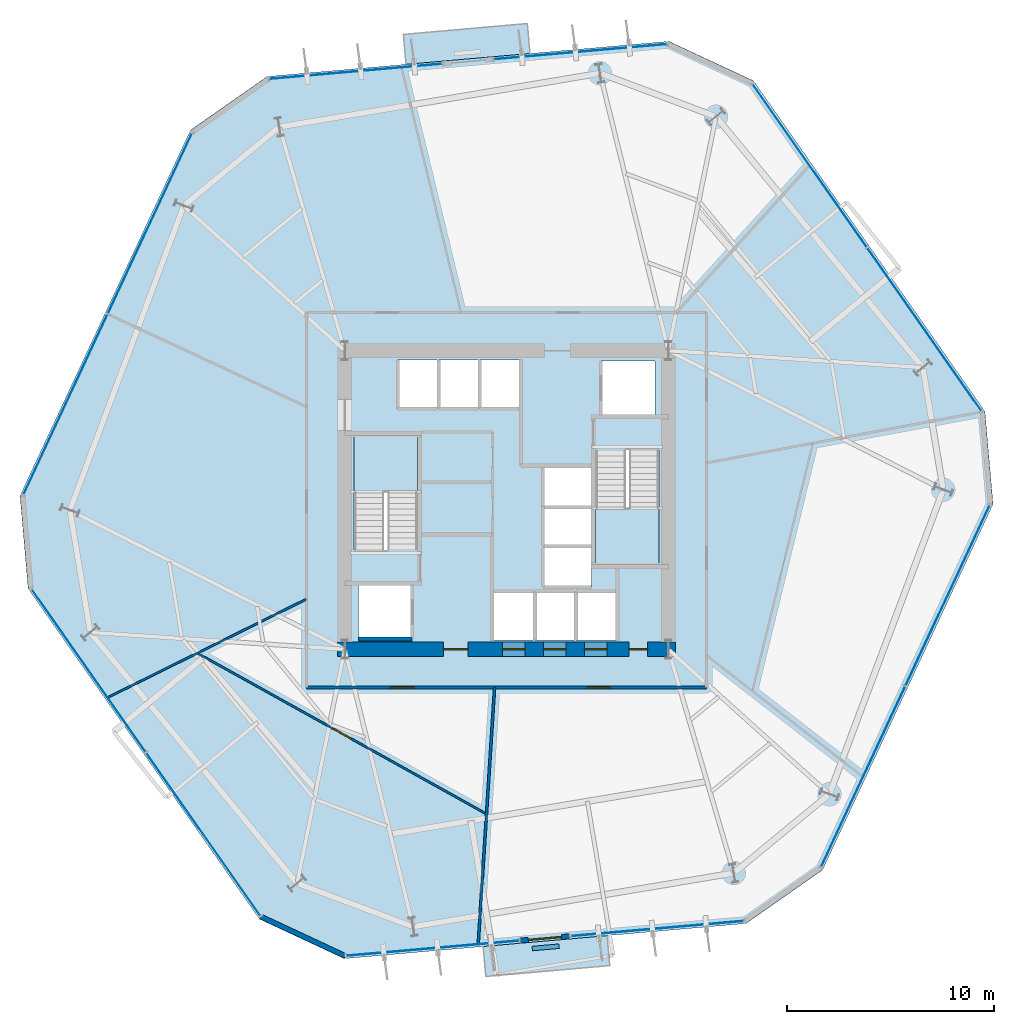
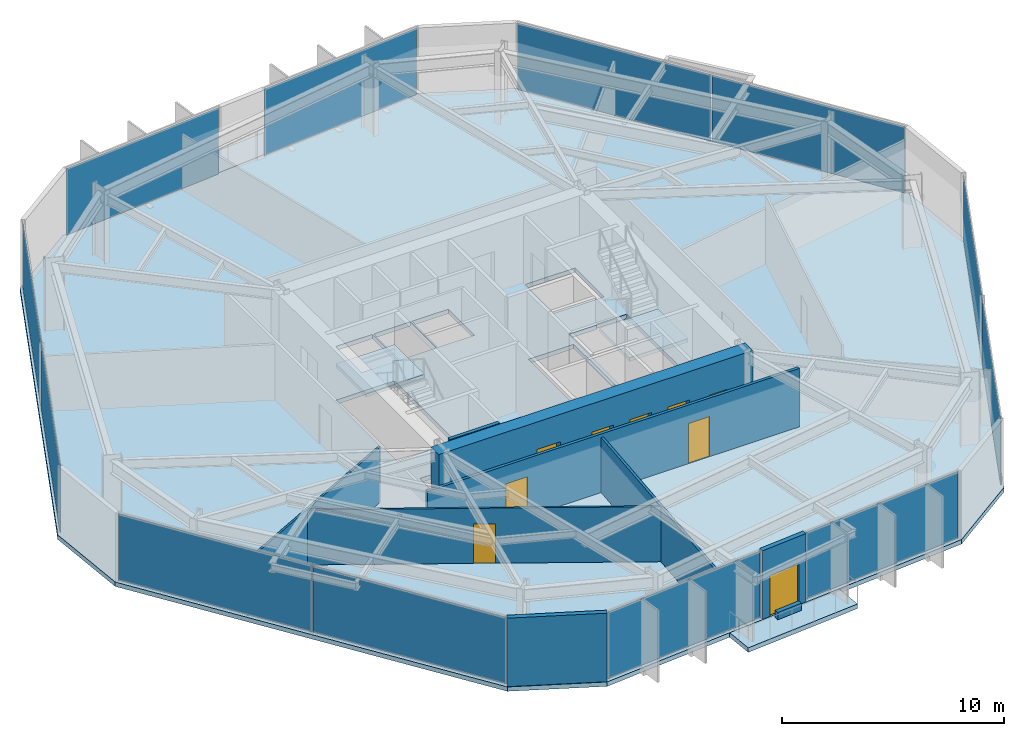
# One storey, part 6 of 11: 12 plates, 9 doors, 9 walls, 5 slabs, 9 openings, 10 elements without a shape of their own.
"""IFC4 building model written with IfcOpenShell, lengths in metres."""

from ifc_helpers import new_model, si_unit, direction, frame, frame_2d, origin, origin_2d, place, context, subcontext, project, spatial, polyline, rectangle, outline, extrude, material, layer, layer_set, type_object, element, fill, aggregate, save


model = new_model("IFC4")

# Units and contexts
model_context = context("Model", 3, precision=1e-05, world=origin(), true_north=direction((0.0, 1.0)))
body_context = subcontext(model_context, "Body", "Model", "MODEL_VIEW")
ifc_project = project(units=[si_unit("LENGTHUNIT", "METRE"), si_unit("AREAUNIT", "SQUARE_METRE"), si_unit("VOLUMEUNIT", "CUBIC_METRE"), si_unit("PLANEANGLEUNIT", "RADIAN"), si_unit("MASSUNIT", "GRAM", prefix="KILO")], contexts=[model_context])

# Site, building, storey
site_placement = place(None, origin())
site = spatial("IfcSite", under=ifc_project, at=site_placement, CompositionType="ELEMENT")
building_placement = place(site_placement, origin())
building = spatial("IfcBuilding", under=site, at=building_placement, Name="Kranzbogen Civic Tower", CompositionType="ELEMENT")
storey_placement = place(building_placement, frame((0.0, 0.0, 40.0)))
storey = spatial("IfcBuildingStorey", under=building, at=storey_placement, Name="L09", CompositionType="ELEMENT", Elevation=40.0)

# Slab
ifc_material_1 = material(Name="Concrete C40/50", Category="concrete")
ifc_layer_1 = layer(ifc_material_1, 0.239990234375, Name="Concrete C40/50")
ifc_layer_set_1 = layer_set([ifc_layer_1], Name="Concrete C40/50")
slab_type_1 = type_object("IfcSlabType", Name="Composite Lower Tower Floor Slab 240 mm", PredefinedType="FLOOR", material=ifc_layer_set_1)
slab_1_placement = place(storey_placement, frame((0.0, 0.0, -0.239990234375)))
element("IfcSlab", 1, at=slab_1_placement, inside=storey, type_object=slab_type_1, Name="L09 tower floor slab", PredefinedType="FLOOR", context=body_context, shape_type="SweptSolid", body=[
    extrude(outline(polyline([(48.069091796875, 29.277099609375), (36.908935546875, 45.215087890625), (32.8310546875, 47.116943359375), (13.447998046875, 45.4208984375), (9.761962890625, 42.840087890625), (1.5390625, 25.2060546875), (1.930908203125, 20.722900390625), (13.091064453125, 4.784912109375), (17.1689453125, 2.883056640625), (36.552001953125, 4.5791015625), (40.238037109375, 7.159912109375), (48.4609375, 24.7939453125), (48.069091796875, 29.277099609375)]), holes=[polyline([(26.300048828125, 20.60009765625), (26.300048828125, 18.25), (24.39990234375, 18.25), (24.39990234375, 20.60009765625), (26.300048828125, 20.60009765625)]), polyline([(28.27490234375, 18.25), (26.375, 18.25), (26.375, 20.60009765625), (28.27490234375, 20.60009765625), (28.27490234375, 18.25)]), polyline([(20.449951171875, 18.300048828125), (17.85009765625, 18.300048828125), (17.85009765625, 20.89990234375), (20.449951171875, 20.89990234375), (20.449951171875, 18.300048828125)]), polyline([(20.699951171875, 22.659912109375), (19.25, 22.659912109375), (19.25, 22.60009765625), (17.64990234375, 22.60009765625), (17.64990234375, 28.10009765625), (20.699951171875, 28.10009765625), (20.699951171875, 22.659912109375)]), polyline([(21.64990234375, 29.39990234375), (19.75, 29.39990234375), (19.75, 31.75), (21.64990234375, 31.75), (21.64990234375, 29.39990234375)]), polyline([(23.625, 29.39990234375), (21.72509765625, 29.39990234375), (21.72509765625, 31.75), (23.625, 31.75), (23.625, 29.39990234375)]), polyline([(25.60009765625, 31.75), (25.60009765625, 29.39990234375), (23.699951171875, 29.39990234375), (23.699951171875, 31.75), (25.60009765625, 31.75)]), polyline([(30.25, 18.25), (28.35009765625, 18.25), (28.35009765625, 20.60009765625), (30.25, 20.60009765625), (30.25, 18.25)]), polyline([(29.10009765625, 20.800048828125), (26.75, 20.800048828125), (26.75, 22.699951171875), (29.10009765625, 22.699951171875), (29.10009765625, 20.800048828125)]), polyline([(26.75, 26.550048828125), (29.10009765625, 26.550048828125), (29.10009765625, 24.675048828125), (29.10009765625, 24.64990234375), (29.10009765625, 22.77490234375), (26.75, 22.77490234375), (26.75, 24.64990234375), (26.75, 24.675048828125), (26.75, 26.550048828125)]), polyline([(30.75, 27.340087890625), (30.75, 27.39990234375), (32.35009765625, 27.39990234375), (32.35009765625, 21.89990234375), (29.300048828125, 21.89990234375), (29.300048828125, 27.340087890625), (30.75, 27.340087890625)]), polyline([(32.14990234375, 29.10009765625), (29.550048828125, 29.10009765625), (29.550048828125, 31.699951171875), (32.14990234375, 31.699951171875), (32.14990234375, 29.10009765625)])]), origin(), (0.0, 0.0, 1.0), 0.239990234375),
])

# Curtain wall, plates
ifc_material_2 = material(Name="Pale Anodised Aluminium", Category="aluminium")
ifc_layer_2 = layer(ifc_material_2, 0.219970703125, Name="Pale Anodised Aluminium")
ifc_layer_set_2 = layer_set([ifc_layer_2], Name="Pale Anodised Aluminium")
curtain_wall_type = type_object("IfcCurtainWallType", Name="Zone 1 Stick Curtain Wall System CW-02", PredefinedType="USERDEFINED", material=ifc_layer_set_2)
curtain_wall_1_placement = place(storey_placement, origin())
curtain_wall_1 = element("IfcCurtainWall", 2, at=curtain_wall_1_placement, inside=storey, type_object=curtain_wall_type, Name="L09 curtain wall CW-L09-F1", ObjectType="STICK CURTAIN WALL", PredefinedType="USERDEFINED")
ifc_material_3 = material(Name="Low-E Triple Glazing Glass", Category="glass")
ifc_layer_3 = layer(ifc_material_3, 0.033935546875, Name="Low-E Triple Glazing Glass")
ifc_layer_set_3 = layer_set([ifc_layer_3], Name="Low-E Triple Glazing Glass")
plate_type = type_object("IfcPlateType", Name="Insulated Low-E Glazing Panel 34 mm", PredefinedType="CURTAIN_PANEL", material=ifc_layer_set_3)
plate_1_placement = place(storey_placement, frame((45.149169921875, 33.22412109375, 0.06005859375), z_axis=(0.0, 0.0, 1.0), x_axis=(-0.573562973826, 0.819161470685, 0.0)))
plate_1 = element("IfcPlate", 3, at=plate_1_placement, type_object=plate_type, Name="CW-02 panel 1.1", PredefinedType="CURTAIN_PANEL", context=body_context, shape_type="SweptSolid", body=[
    extrude(rectangle(XDim=9.580322265625, YDim=0.028076171875, at=origin_2d()), origin(), (0.0, 0.0, 1.0), 3.639892578125),
])
plate_2_placement = place(storey_placement, frame((39.619873046875, 41.120849609375, 0.06005859375), z_axis=(0.0, 0.0, 1.0), x_axis=(-0.573562973826, 0.819161470685, 0.0)))
plate_2 = element("IfcPlate", 4, at=plate_2_placement, type_object=plate_type, Name="CW-02 panel 2.1", PredefinedType="CURTAIN_PANEL", context=body_context, shape_type="SweptSolid", body=[
    extrude(rectangle(XDim=9.580322265625, YDim=0.028076171875, at=origin_2d()), origin(), (0.0, 0.0, 1.0), 3.639892578125),
])
aggregate(curtain_wall_1, [plate_1, plate_2])

# Curtain wall, plate
curtain_wall_2_placement = place(storey_placement, origin())
curtain_wall_2 = element("IfcCurtainWall", 5, at=curtain_wall_2_placement, inside=storey, type_object=curtain_wall_type, Name="L09 curtain wall CW-L09-F2-S1", ObjectType="STICK CURTAIN WALL", PredefinedType="USERDEFINED")
plate_3_placement = place(storey_placement, frame((28.56494140625, 46.615966796875, 0.06005859375), z_axis=(0.0, 0.0, 1.0), x_axis=(-0.996197048613, -0.087128871992, 0.0)))
plate_3 = element("IfcPlate", 6, at=plate_3_placement, type_object=plate_type, Name="CW-02 panel 1.1", PredefinedType="CURTAIN_PANEL", context=body_context, shape_type="SweptSolid", body=[
    extrude(rectangle(XDim=8.35009765625, YDim=0.028076171875, at=origin_2d()), origin(), (0.0, 0.0, 1.0), 3.639892578125),
])
aggregate(curtain_wall_2, [plate_3])

curtain_wall_3_placement = place(storey_placement, origin())
curtain_wall_3 = element("IfcCurtainWall", 7, at=curtain_wall_3_placement, inside=storey, type_object=curtain_wall_type, Name="L09 curtain wall CW-L09-F2-S2", ObjectType="STICK CURTAIN WALL", PredefinedType="USERDEFINED")
plate_4_placement = place(storey_placement, frame((17.736083984375, 45.66796875, 0.06005859375), z_axis=(0.0, 0.0, 1.0), x_axis=(-0.996197048613, -0.087128871992, 0.0)))
plate_4 = element("IfcPlate", 8, at=plate_4_placement, type_object=plate_type, Name="CW-02 panel 1.1", PredefinedType="CURTAIN_PANEL", context=body_context, shape_type="SweptSolid", body=[
    extrude(rectangle(XDim=8.35009765625, YDim=0.028076171875, at=origin_2d()), origin(), (0.0, 0.0, 1.0), 3.639892578125),
])
aggregate(curtain_wall_3, [plate_4])

# Curtain wall, plates
curtain_wall_4_placement = place(storey_placement, origin())
curtain_wall_4 = element("IfcCurtainWall", 9, at=curtain_wall_4_placement, inside=storey, type_object=curtain_wall_type, Name="L09 curtain wall CW-L09-F3", ObjectType="STICK CURTAIN WALL", PredefinedType="USERDEFINED")
plate_5_placement = place(storey_placement, frame((7.80322265625, 38.338134765625, 0.06005859375), z_axis=(0.0, 0.0, 1.0), x_axis=(-0.422622213878, -0.906305944114, 0.0)))
plate_5 = element("IfcPlate", 10, at=plate_5_placement, type_object=plate_type, Name="CW-02 panel 1.1", PredefinedType="CURTAIN_PANEL", context=body_context, shape_type="SweptSolid", body=[
    extrude(rectangle(XDim=9.58056640625, YDim=0.028076171875, at=origin_2d()), origin(), (0.0, 0.0, 1.0), 3.639892578125),
])
plate_6_placement = place(storey_placement, frame((3.728759765625, 29.600830078125, 0.06005859375), z_axis=(0.0, 0.0, 1.0), x_axis=(-0.422622213878, -0.906305944114, 0.0)))
plate_6 = element("IfcPlate", 11, at=plate_6_placement, type_object=plate_type, Name="CW-02 panel 2.1", PredefinedType="CURTAIN_PANEL", context=body_context, shape_type="SweptSolid", body=[
    extrude(rectangle(XDim=9.58056640625, YDim=0.028076171875, at=origin_2d()), origin(), (0.0, 0.0, 1.0), 3.639892578125),
])
aggregate(curtain_wall_4, [plate_5, plate_6])

curtain_wall_5_placement = place(storey_placement, origin())
curtain_wall_5 = element("IfcCurtainWall", 12, at=curtain_wall_5_placement, inside=storey, type_object=curtain_wall_type, Name="L09 curtain wall CW-L09-F4", ObjectType="STICK CURTAIN WALL", PredefinedType="USERDEFINED")
plate_7_placement = place(storey_placement, frame((4.850830078125, 16.77587890625, 0.06005859375), z_axis=(0.0, 0.0, 1.0), x_axis=(0.573562973826, -0.819161470685, 0.0)))
plate_7 = element("IfcPlate", 13, at=plate_7_placement, type_object=plate_type, Name="CW-02 panel 1.1", PredefinedType="CURTAIN_PANEL", context=body_context, shape_type="SweptSolid", body=[
    extrude(rectangle(XDim=9.580322265625, YDim=0.028076171875, at=origin_2d()), origin(), (0.0, 0.0, 1.0), 3.639892578125),
])
plate_8_placement = place(storey_placement, frame((10.380126953125, 8.879150390625, 0.06005859375), z_axis=(0.0, 0.0, 1.0), x_axis=(0.573562973826, -0.819161470685, 0.0)))
plate_8 = element("IfcPlate", 14, at=plate_8_placement, type_object=plate_type, Name="CW-02 panel 2.1", PredefinedType="CURTAIN_PANEL", context=body_context, shape_type="SweptSolid", body=[
    extrude(rectangle(XDim=9.580322265625, YDim=0.028076171875, at=origin_2d()), origin(), (0.0, 0.0, 1.0), 3.639892578125),
])
aggregate(curtain_wall_5, [plate_7, plate_8])

# Curtain wall, plate
curtain_wall_6_placement = place(storey_placement, origin())
curtain_wall_6 = element("IfcCurtainWall", 15, at=curtain_wall_6_placement, inside=storey, type_object=curtain_wall_type, Name="L09 curtain wall CW-L09-F5-S1", ObjectType="STICK CURTAIN WALL", PredefinedType="USERDEFINED")
plate_9_placement = place(storey_placement, frame((21.435546875, 3.384033203125, 0.06005859375), z_axis=(0.0, 0.0, 1.0), x_axis=(0.996197944707, 0.087118625807, 0.0)))
plate_9 = element("IfcPlate", 16, at=plate_9_placement, type_object=plate_type, Name="CW-02 panel 1.1", PredefinedType="CURTAIN_PANEL", context=body_context, shape_type="SweptSolid", body=[
    extrude(rectangle(XDim=8.351318359375, YDim=0.028076171875, at=origin_2d()), origin(), (0.0, 0.0, 1.0), 3.639892578125),
])
aggregate(curtain_wall_6, [plate_9])

curtain_wall_7_placement = place(storey_placement, origin())
curtain_wall_7 = element("IfcCurtainWall", 17, at=curtain_wall_7_placement, inside=storey, type_object=curtain_wall_type, Name="L09 curtain wall CW-L09-F5-S2", ObjectType="STICK CURTAIN WALL", PredefinedType="USERDEFINED")
plate_10_placement = place(storey_placement, frame((32.263916015625, 4.33203125, 0.06005859375), z_axis=(0.0, 0.0, 1.0), x_axis=(0.996197048613, 0.087128871992, 0.0)))
plate_10 = element("IfcPlate", 18, at=plate_10_placement, type_object=plate_type, Name="CW-02 panel 1.1", PredefinedType="CURTAIN_PANEL", context=body_context, shape_type="SweptSolid", body=[
    extrude(rectangle(XDim=8.35009765625, YDim=0.028076171875, at=origin_2d()), origin(), (0.0, 0.0, 1.0), 3.639892578125),
])
aggregate(curtain_wall_7, [plate_10])

# Curtain wall, plates
curtain_wall_8_placement = place(storey_placement, origin())
curtain_wall_8 = element("IfcCurtainWall", 19, at=curtain_wall_8_placement, inside=storey, type_object=curtain_wall_type, Name="L09 curtain wall CW-L09-F6", ObjectType="STICK CURTAIN WALL", PredefinedType="USERDEFINED")
plate_11_placement = place(storey_placement, frame((42.19677734375, 11.661865234375, 0.06005859375), z_axis=(0.0, 0.0, 1.0), x_axis=(0.422622213878, 0.906305944114, 0.0)))
plate_11 = element("IfcPlate", 20, at=plate_11_placement, type_object=plate_type, Name="CW-02 panel 1.1", PredefinedType="CURTAIN_PANEL", context=body_context, shape_type="SweptSolid", body=[
    extrude(rectangle(XDim=9.58056640625, YDim=0.028076171875, at=origin_2d()), origin(), (0.0, 0.0, 1.0), 3.639892578125),
])
plate_12_placement = place(storey_placement, frame((46.271240234375, 20.399169921875, 0.06005859375), z_axis=(0.0, 0.0, 1.0), x_axis=(0.422622213878, 0.906305944114, 0.0)))
plate_12 = element("IfcPlate", 21, at=plate_12_placement, type_object=plate_type, Name="CW-02 panel 2.1", PredefinedType="CURTAIN_PANEL", context=body_context, shape_type="SweptSolid", body=[
    extrude(rectangle(XDim=9.58056640625, YDim=0.028076171875, at=origin_2d()), origin(), (0.0, 0.0, 1.0), 3.639892578125),
])
aggregate(curtain_wall_8, [plate_11, plate_12])

# Stair, slab
ifc_material_4 = material(Name="Precast concrete C40/50", Category="concrete")
stair_type_1 = type_object("IfcStairType", Name="Tower Core Pressurized Dogleg Stair 1450", PredefinedType="HALF_TURN_STAIR", material=ifc_material_4)
stair_1_placement = place(storey_placement, origin())
stair_1 = element("IfcStair", 22, at=stair_1_placement, inside=storey, type_object=stair_type_1, Name="L09 Tower Core Pressurized Stair 1", PredefinedType="HALF_TURN_STAIR")
ifc_layer_4 = layer(ifc_material_4, 0.199951171875, Name="Precast concrete C40/50")
ifc_layer_set_4 = layer_set([ifc_layer_4], Name="Precast concrete C40/50")
slab_type_2 = type_object("IfcSlabType", Name="Precast Concrete Stair Landing Slab 200 mm", PredefinedType="LANDING", material=ifc_layer_set_4)
slab_2_placement = place(storey_placement, frame((0.0, 0.0, 1.800048828125)))
slab_2 = element("IfcSlab", 23, at=slab_2_placement, type_object=slab_type_2, Name="ST-T1 landing 1", PredefinedType="LANDING", context=body_context, shape_type="SweptSolid", body=[
    extrude(outline(polyline([(20.699951171875, 25.39990234375), (20.699951171875, 28.10009765625), (17.64990234375, 28.10009765625), (17.64990234375, 25.39990234375), (20.699951171875, 25.39990234375)])), origin(), (0.0, 0.0, 1.0), 0.199951171875),
])
aggregate(stair_1, [slab_2])

stair_type_2 = type_object("IfcStairType", Name="Tower Core Secondary Dogleg Stair 1450", PredefinedType="HALF_TURN_STAIR", material=ifc_material_4)
stair_2_placement = place(storey_placement, origin())
stair_2 = element("IfcStair", 24, at=stair_2_placement, inside=storey, type_object=stair_type_2, Name="L09 Tower Core Pressurized Stair 2", PredefinedType="HALF_TURN_STAIR")
slab_3_placement = place(storey_placement, frame((0.0, 0.0, 1.800048828125)))
slab_3 = element("IfcSlab", 25, at=slab_3_placement, type_object=slab_type_2, Name="ST-T2 landing 1", PredefinedType="LANDING", context=body_context, shape_type="SweptSolid", body=[
    extrude(outline(polyline([(29.300048828125, 24.60009765625), (29.300048828125, 21.89990234375), (32.35009765625, 21.89990234375), (32.35009765625, 24.60009765625), (29.300048828125, 24.60009765625)])), origin(), (0.0, 0.0, 1.0), 0.199951171875),
])
aggregate(stair_2, [slab_3])

# Slabs
ifc_layer_5 = layer(ifc_material_1, 0.25, Name="Concrete C40/50")
ifc_layer_set_5 = layer_set([ifc_layer_5], Name="Concrete C40/50")
slab_type_3 = type_object("IfcSlabType", Name="Tree Balcony Cantilevered Slab 250 mm", PredefinedType="FLOOR", material=ifc_layer_set_5)
slab_4_placement = place(storey_placement, frame((0.0, 0.0, -0.25)))
element("IfcSlab", 26, at=slab_4_placement, inside=storey, type_object=slab_type_3, Name="L09 cantilevered tree balcony L09-TB1", PredefinedType="FLOOR", context=body_context, shape_type="SweptSolid", body=[
    extrude(outline(polyline([(26.1279296875, 46.530029296875), (20.15087890625, 46.007080078125), (20.02490234375, 47.450927734375), (26.001953125, 47.97412109375), (26.1279296875, 46.530029296875)])), origin(), (0.0, 0.0, 1.0), 0.25),
])
slab_5_placement = place(storey_placement, frame((0.0, 0.0, -0.25)))
element("IfcSlab", 27, at=slab_5_placement, inside=storey, type_object=slab_type_3, Name="L09 cantilevered tree balcony L09-TB2", PredefinedType="FLOOR", context=body_context, shape_type="SweptSolid", body=[
    extrude(outline(polyline([(23.8720703125, 3.469970703125), (29.84912109375, 3.992919921875), (29.97509765625, 2.549072265625), (23.998046875, 2.02587890625), (23.8720703125, 3.469970703125)])), origin(), (0.0, 0.0, 1.0), 0.25),
])

# Wall, openings, doors
ifc_material_5 = material(Name="Double-Stud Acoustic Gypsum Partition")
ifc_layer_6 = layer(ifc_material_5, 0.14990234375, Name="Double-Stud Acoustic Gypsum Partition")
ifc_layer_set_6 = layer_set([ifc_layer_6], Name="Double-Stud Acoustic Gypsum Partition")
wall_type_1 = type_object("IfcWallType", Name="Acoustic Corridor and Clinical Partition 150 mm", PredefinedType="PARTITIONING", material=ifc_layer_set_6)
wall_1_placement = place(storey_placement, frame((34.64990234375, 15.949951171875, 0.0), z_axis=(0.0, 0.0, 1.0), x_axis=(-1.0, 0.0, 0.0)))
wall_1 = element("IfcWall", 28, at=wall_1_placement, inside=storey, type_object=wall_type_1, Name="L09 corridor partition 03", PredefinedType="PARTITIONING", context=body_context, shape_type="SweptSolid", body=[
    extrude(rectangle(XDim=19.2998046875, YDim=0.14990234375, at=frame_2d((9.64990234375, 0.0))), origin(), (0.0, 0.0, 1.0), 3.2099609375),
])
opening_1_placement = place(wall_1_placement, frame((14.1220703125, 0.0, 0.0)))
opening_1 = element("IfcOpeningElement", 29, at=opening_1_placement, cuts=wall_1, Name="Opening D-COR60", PredefinedType="OPENING", context=body_context, shape_type="SweptSolid", body=[
    extrude(rectangle(XDim=1.10009765625, YDim=2.199951171875, at=frame_2d((0.550048828125, 1.10009765625))), frame((0.0, 0.0849609375, 0.0), z_axis=(0.0, -1.0, 0.0), x_axis=(1.0, 0.0, 0.0)), (0.0, 0.0, 1.0), 0.169921875),
])
opening_2_placement = place(wall_1_placement, frame((4.659912109375, 0.0, 0.0)))
opening_2 = element("IfcOpeningElement", 30, at=opening_2_placement, cuts=wall_1, Name="Opening D-COR60", PredefinedType="OPENING", context=body_context, shape_type="SweptSolid", body=[
    extrude(rectangle(XDim=1.10009765625, YDim=2.199951171875, at=frame_2d((0.550048828125, 1.10009765625))), frame((0.0, 0.0849609375, 0.0), z_axis=(0.0, -1.0, 0.0), x_axis=(1.0, 0.0, 0.0)), (0.0, 0.0, 1.0), 0.169921875),
])
ifc_material_6 = material(Name="Oak Timber and Fire Core", Category="wood")
door_type_1 = type_object("IfcDoorType", Name="Corridor Acoustic Fire Door 1100x2200", OperationType="NOTDEFINED", PredefinedType="DOOR", material=ifc_material_6)
door_1_placement = place(opening_1_placement, origin())
door_1 = element("IfcDoor", 31, at=door_1_placement, inside=storey, type_object=door_type_1, Name="L09 Directorate Admin Workspace door", OperationType="SINGLE_SWING_RIGHT", OverallHeight=2.199951171875, OverallWidth=1.10009765625, PredefinedType="DOOR", context=body_context, shape_type="SweptSolid", body=[
    extrude(rectangle(XDim=1.10009765625, YDim=2.199951171875, at=frame_2d((0.550048828125, 1.10009765625))), frame((0.0, 0.02490234375, 0.0), z_axis=(0.0, -1.0, 0.0), x_axis=(1.0, 0.0, 0.0)), (0.0, 0.0, 1.0), 0.050048828125),
])
fill(opening_1, door_1)
door_2_placement = place(opening_2_placement, origin())
door_2 = element("IfcDoor", 32, at=door_2_placement, inside=storey, type_object=door_type_1, Name="L09 Civic Reference Library door", OperationType="SINGLE_SWING_RIGHT", OverallHeight=2.199951171875, OverallWidth=1.10009765625, PredefinedType="DOOR", context=body_context, shape_type="SweptSolid", body=[
    extrude(rectangle(XDim=1.10009765625, YDim=2.199951171875, at=frame_2d((0.550048828125, 1.10009765625))), frame((0.0, 0.02490234375, 0.0), z_axis=(0.0, -1.0, 0.0), x_axis=(1.0, 0.0, 0.0)), (0.0, 0.0, 1.0), 0.050048828125),
])
fill(opening_2, door_2)

# Walls
ifc_material_7 = material(Name="Insulated Metal-Stud Gypsum Partition")
ifc_layer_7 = layer(ifc_material_7, 0.125, Name="Insulated Metal-Stud Gypsum Partition")
ifc_layer_set_7 = layer_set([ifc_layer_7], Name="Insulated Metal-Stud Gypsum Partition")
wall_type_2 = type_object("IfcWallType", Name="Acoustic Inter-Room Partition 125 mm", PredefinedType="PARTITIONING", material=ifc_layer_set_7)
wall_2_placement = place(storey_placement, frame((24.422119140625, 15.949951171875, 0.0), z_axis=(0.0, 0.0, 1.0), x_axis=(-0.063731074796, -0.997967108729, 0.0)))
element("IfcWall", 33, at=wall_2_placement, inside=storey, type_object=wall_type_2, Name="L09 radial room partition 05", PredefinedType="PARTITIONING", context=body_context, shape_type="SweptSolid", body=[
    extrude(rectangle(XDim=12.381103515625, YDim=0.125, at=frame_2d((6.1904296875, 0.0))), origin(), (0.0, 0.0, 1.0), 3.02001953125),
])
ifc_material_8 = material(Name="Architectural Precast Terracotta Concrete C40/50", Category="masonry")
ifc_layer_8 = layer(ifc_material_8, 0.219970703125, Name="Architectural Precast Terracotta Concrete C40/50")
ifc_layer_set_8 = layer_set([ifc_layer_8], Name="Architectural Precast Terracotta Concrete C40/50")
wall_type_3 = type_object("IfcWallType", Name="Architectural Tree Planter Kerb Wall 220 mm", PredefinedType="USERDEFINED", material=ifc_layer_set_8)
wall_3_placement = place(storey_placement, frame((26.239013671875, 3.37109375, 0.0), z_axis=(0.0, 0.0, 1.0), x_axis=(0.996152048595, 0.087641862602, 0.0)))
element("IfcWall", 34, at=wall_3_placement, inside=storey, type_object=wall_type_3, Name="L09 landscaped tree balcony planter L09-TB2", ObjectType="PLANTER_WALL", PredefinedType="USERDEFINED", context=body_context, shape_type="SweptSolid", body=[
    extrude(rectangle(XDim=1.301025390625, YDim=0.219970703125, at=frame_2d((0.650390625, 0.0))), origin(), (0.0, 0.0, 1.0), 0.39990234375),
])

# Wall, openings, doors
ifc_material_9 = material(Name="Concrete C55/67", Category="concrete")
ifc_layer_9 = layer(ifc_material_9, 0.699951171875, Name="Concrete C55/67")
ifc_layer_set_9 = layer_set([ifc_layer_9], Name="Concrete C55/67")
wall_type_4 = type_object("IfcWallType", Name="Central Core Shear Wall 700 mm", PredefinedType="SHEAR", material=ifc_layer_set_9)
wall_4_placement = place(storey_placement, frame((16.85009765625, 17.800048828125, 0.0), z_axis=(0.0, 0.0, 1.0), x_axis=(1.0, 0.0, 0.0)))
wall_4 = element("IfcWall", 35, at=wall_4_placement, inside=storey, type_object=wall_type_4, Name="L09 central core South shear wall", PredefinedType="SHEAR", context=body_context, shape_type="SweptSolid", body=[
    extrude(rectangle(XDim=16.2998046875, YDim=0.699951171875, at=frame_2d((8.14990234375, 0.0))), origin(), (0.0, 0.0, 1.0), 3.760009765625),
])
opening_3_placement = place(wall_4_placement, frame((5.10009765625, 0.0, 0.0)))
opening_3 = element("IfcOpeningElement", 36, at=opening_3_placement, cuts=wall_4, Name="Opening D-EX120", PredefinedType="OPENING", context=body_context, shape_type="SweptSolid", body=[
    extrude(rectangle(XDim=1.199951171875, YDim=2.25, at=frame_2d((0.60009765625, 1.125))), frame((0.0, 0.35986328125, 0.0), z_axis=(0.0, -1.0, 0.0), x_axis=(1.0, 0.0, 0.0)), (0.0, 0.0, 1.0), 0.719970703125),
])
opening_4_placement = place(wall_4_placement, frame((14.050048828125, 0.0, 0.0)))
opening_4 = element("IfcOpeningElement", 37, at=opening_4_placement, cuts=wall_4, Name="Opening D-WC90", PredefinedType="OPENING", context=body_context, shape_type="SweptSolid", body=[
    extrude(rectangle(XDim=0.89990234375, YDim=2.10009765625, at=frame_2d((0.449951171875, 1.050048828125))), frame((0.0, 0.35986328125, 0.0), z_axis=(0.0, -1.0, 0.0), x_axis=(1.0, 0.0, 0.0)), (0.0, 0.0, 1.0), 0.719970703125),
])
opening_5_placement = place(wall_4_placement, frame((7.949951171875, 0.0, 0.0)))
opening_5 = element("IfcOpeningElement", 38, at=opening_5_placement, cuts=wall_4, Name="Opening LD-LP-01", PredefinedType="OPENING", context=body_context, shape_type="SweptSolid", body=[
    extrude(rectangle(XDim=1.10009765625, YDim=2.199951171875, at=frame_2d((0.550048828125, 1.10009765625))), frame((0.0, 0.35986328125, 0.0), z_axis=(0.0, -1.0, 0.0), x_axis=(1.0, 0.0, 0.0)), (0.0, 0.0, 1.0), 0.719970703125),
])
opening_6_placement = place(wall_4_placement, frame((9.925048828125, 0.0, 0.0)))
opening_6 = element("IfcOpeningElement", 39, at=opening_6_placement, cuts=wall_4, Name="Opening LD-LP-02", PredefinedType="OPENING", context=body_context, shape_type="SweptSolid", body=[
    extrude(rectangle(XDim=1.10009765625, YDim=2.199951171875, at=frame_2d((0.550048828125, 1.10009765625))), frame((0.0, 0.35986328125, 0.0), z_axis=(0.0, -1.0, 0.0), x_axis=(1.0, 0.0, 0.0)), (0.0, 0.0, 1.0), 0.719970703125),
])
opening_7_placement = place(wall_4_placement, frame((11.89990234375, 0.0, 0.0)))
opening_7 = element("IfcOpeningElement", 40, at=opening_7_placement, cuts=wall_4, Name="Opening LD-LP-03", PredefinedType="OPENING", context=body_context, shape_type="SweptSolid", body=[
    extrude(rectangle(XDim=1.10009765625, YDim=2.199951171875, at=frame_2d((0.550048828125, 1.10009765625))), frame((0.0, 0.35986328125, 0.0), z_axis=(0.0, -1.0, 0.0), x_axis=(1.0, 0.0, 0.0)), (0.0, 0.0, 1.0), 0.719970703125),
])
ifc_material_10 = material(Name="Steel S355", Category="steel")
door_type_2 = type_object("IfcDoorType", Name="Exit Passageway Fire Door 1200x2250", OperationType="NOTDEFINED", PredefinedType="DOOR", material=ifc_material_10)
door_3_placement = place(opening_3_placement, origin())
door_3 = element("IfcDoor", 41, at=door_3_placement, inside=storey, type_object=door_type_2, Name="L09 West firefighting lobby corridor door", OperationType="SINGLE_SWING_RIGHT", OverallHeight=2.25, OverallWidth=1.199951171875, PredefinedType="DOOR", context=body_context, shape_type="SweptSolid", body=[
    extrude(rectangle(XDim=1.199951171875, YDim=2.25, at=frame_2d((0.60009765625, 1.125))), frame((0.0, 0.02490234375, 0.0), z_axis=(0.0, -1.0, 0.0), x_axis=(1.0, 0.0, 0.0)), (0.0, 0.0, 1.0), 0.050048828125),
])
fill(opening_3, door_3)
door_type_3 = type_object("IfcDoorType", Name="Passenger Lift Sliding Landing Door 1100x2200", OperationType="DOUBLE_DOOR_SLIDING", PredefinedType="DOOR", material=ifc_material_2)
door_4_placement = place(opening_5_placement, origin())
door_4 = element("IfcDoor", 42, at=door_4_placement, inside=storey, type_object=door_type_3, Name="L09 lift LP-01 sliding landing door", OperationType="DOUBLE_DOOR_SLIDING", OverallHeight=2.199951171875, OverallWidth=1.10009765625, PredefinedType="DOOR", context=body_context, shape_type="SweptSolid", body=[
    extrude(rectangle(XDim=1.10009765625, YDim=2.199951171875, at=frame_2d((0.550048828125, 1.10009765625))), frame((0.0, 0.02490234375, 0.0), z_axis=(0.0, -1.0, 0.0), x_axis=(1.0, 0.0, 0.0)), (0.0, 0.0, 1.0), 0.050048828125),
])
fill(opening_5, door_4)
door_5_placement = place(opening_6_placement, origin())
door_5 = element("IfcDoor", 43, at=door_5_placement, inside=storey, type_object=door_type_3, Name="L09 lift LP-02 sliding landing door", OperationType="DOUBLE_DOOR_SLIDING", OverallHeight=2.199951171875, OverallWidth=1.10009765625, PredefinedType="DOOR", context=body_context, shape_type="SweptSolid", body=[
    extrude(rectangle(XDim=1.10009765625, YDim=2.199951171875, at=frame_2d((0.550048828125, 1.10009765625))), frame((0.0, 0.02490234375, 0.0), z_axis=(0.0, -1.0, 0.0), x_axis=(1.0, 0.0, 0.0)), (0.0, 0.0, 1.0), 0.050048828125),
])
fill(opening_6, door_5)
door_6_placement = place(opening_7_placement, origin())
door_6 = element("IfcDoor", 44, at=door_6_placement, inside=storey, type_object=door_type_3, Name="L09 lift LP-03 sliding landing door", OperationType="DOUBLE_DOOR_SLIDING", OverallHeight=2.199951171875, OverallWidth=1.10009765625, PredefinedType="DOOR", context=body_context, shape_type="SweptSolid", body=[
    extrude(rectangle(XDim=1.10009765625, YDim=2.199951171875, at=frame_2d((0.550048828125, 1.10009765625))), frame((0.0, 0.02490234375, 0.0), z_axis=(0.0, -1.0, 0.0), x_axis=(1.0, 0.0, 0.0)), (0.0, 0.0, 1.0), 0.050048828125),
])
fill(opening_7, door_6)
ifc_material_11 = material(Name="Moisture-Resistant Laminate")
door_type_4 = type_object("IfcDoorType", Name="Standard Restroom and Store Door 900x2100", OperationType="NOTDEFINED", PredefinedType="DOOR", material=ifc_material_11)
door_7_placement = place(opening_4_placement, origin())
door_7 = element("IfcDoor", 45, at=door_7_placement, inside=storey, type_object=door_type_4, Name="L09 East electrical riser access door", OperationType="SINGLE_SWING_RIGHT", OverallHeight=2.10009765625, OverallWidth=0.89990234375, PredefinedType="DOOR", context=body_context, shape_type="SweptSolid", body=[
    extrude(rectangle(XDim=0.89990234375, YDim=2.10009765625, at=frame_2d((0.449951171875, 1.050048828125))), frame((0.0, 0.02490234375, 0.0), z_axis=(0.0, -1.0, 0.0), x_axis=(1.0, 0.0, 0.0)), (0.0, 0.0, 1.0), 0.050048828125),
])
fill(opening_4, door_7)

# Wall
ifc_material_12 = material(Name="Demountable Aluminium and Gypsum Partition", Category="aluminium")
ifc_layer_10 = layer(ifc_material_12, 0.10009765625, Name="Demountable Aluminium and Gypsum Partition")
ifc_layer_set_10 = layer_set([ifc_layer_10], Name="Demountable Aluminium and Gypsum Partition")
wall_type_5 = type_object("IfcWallType", Name="Demountable Office Partition 100 mm", PredefinedType="MOVABLE", material=ifc_layer_set_10)
wall_5_placement = place(storey_placement, frame((15.35009765625, 20.220947265625, 0.0), z_axis=(0.0, 0.0, 1.0), x_axis=(-0.896125940775, -0.443799840322, 0.0)))
element("IfcWall", 46, at=wall_5_placement, inside=storey, type_object=wall_type_5, Name="L09 radial room partition 04", PredefinedType="MOVABLE", context=body_context, shape_type="SweptSolid", body=[
    extrude(rectangle(XDim=10.680419921875, YDim=0.10009765625, at=frame_2d((5.34033203125, 0.0))), origin(), (0.0, 0.0, 1.0), 3.050048828125),
])

# Wall, opening, door
wall_6_placement = place(storey_placement, frame((10.10791015625, 17.60791015625, 0.0), z_axis=(0.0, 0.0, 1.0), x_axis=(0.873848208076, -0.486198837147, 0.0)))
wall_6 = element("IfcWall", 47, at=wall_6_placement, inside=storey, type_object=wall_type_5, Name="L09 suite chord partition 01", PredefinedType="MOVABLE", context=body_context, shape_type="SweptSolid", body=[
    extrude(rectangle(XDim=15.91943359375, YDim=0.10009765625, at=frame_2d((7.959716796875, 0.0))), origin(), (0.0, 0.0, 1.0), 3.02001953125),
])
opening_8_placement = place(wall_6_placement, frame((7.4599609375, 0.0, 0.0)))
opening_8 = element("IfcOpeningElement", 48, at=opening_8_placement, cuts=wall_6, Name="Opening D-OFC10", PredefinedType="OPENING", context=body_context, shape_type="SweptSolid", body=[
    extrude(rectangle(XDim=1.0, YDim=2.14990234375, at=frame_2d((0.5, 1.074951171875))), frame((0.0, 0.06005859375, 0.0), z_axis=(0.0, -1.0, 0.0), x_axis=(1.0, 0.0, 0.0)), (0.0, 0.0, 1.0), 0.1201171875),
])
ifc_material_13 = material(Name="Oak Timber Veneer", Category="wood")
door_type_5 = type_object("IfcDoorType", Name="Standard Office Acoustic Door 1000x2150", OperationType="NOTDEFINED", PredefinedType="DOOR", material=ifc_material_13)
door_8_placement = place(opening_8_placement, origin())
door_8 = element("IfcDoor", 49, at=door_8_placement, inside=storey, type_object=door_type_5, Name="L09 Legal Counsel Office door", OperationType="SINGLE_SWING_LEFT", OverallHeight=2.14990234375, OverallWidth=1.0, PredefinedType="DOOR", context=body_context, shape_type="SweptSolid", body=[
    extrude(rectangle(XDim=1.0, YDim=2.14990234375, at=frame_2d((0.5, 1.074951171875))), frame((0.0, 0.02490234375, 0.0), z_axis=(0.0, -1.0, 0.0), x_axis=(1.0, 0.0, 0.0)), (0.0, 0.0, 1.0), 0.050048828125),
])
fill(opening_8, door_8)

# Walls
ifc_material_14 = material(Name="Gypsum Fireboard Shaftliner")
ifc_layer_11 = layer(ifc_material_14, 0.175048828125, Name="Gypsum Fireboard Shaftliner")
ifc_layer_set_11 = layer_set([ifc_layer_11], Name="Gypsum Fireboard Shaftliner")
wall_type_6 = type_object("IfcWallType", Name="Fire-Rated Lift and Service Shaft Wall 175 mm", PredefinedType="PARTITIONING", material=ifc_layer_set_11)
wall_7_placement = place(storey_placement, frame((17.85009765625, 18.300048828125, 0.0), z_axis=(0.0, 0.0, 1.0), x_axis=(1.0, 0.0, 0.0)))
element("IfcWall", 50, at=wall_7_placement, inside=storey, type_object=wall_type_6, Name="L09 lift FF-01 side wall", PredefinedType="PARTITIONING", context=body_context, shape_type="SweptSolid", body=[
    extrude(rectangle(XDim=2.599853515625, YDim=0.175048828125, at=frame_2d((1.2998046875, 0.0))), origin(), (0.0, 0.0, 1.0), 3.760009765625),
])
ifc_layer_12 = layer(ifc_material_2, 0.239990234375, Name="Pale Anodised Aluminium")
ifc_layer_set_12 = layer_set([ifc_layer_12], Name="Pale Anodised Aluminium")
wall_type_7 = type_object("IfcWallType", Name="Insulated Aluminium Facade Portal Wall 240 mm", PredefinedType="STANDARD", material=ifc_layer_set_12)
wall_8_placement = place(storey_placement, frame((13.162109375, 4.906005859375, 0.0), z_axis=(0.0, 0.0, 1.0), x_axis=(0.906245873292, -0.422751010811, 0.0)))
element("IfcWall", 51, at=wall_8_placement, inside=storey, type_object=wall_type_7, Name="L09 chamfered corner facade spandrel 4", PredefinedType="STANDARD", context=body_context, shape_type="SweptSolid", body=[
    extrude(rectangle(XDim=4.473388671875, YDim=0.239990234375, at=frame_2d((2.23681640625, 0.0))), origin(), (0.0, 0.0, 1.0), 3.760009765625),
])

# Wall, opening, door
wall_9_placement = place(storey_placement, frame((25.655029296875, 3.7529296875, 0.0), z_axis=(0.0, 0.0, 1.0), x_axis=(0.996163059217, 0.087516623856, 0.0)))
wall_9 = element("IfcWall", 52, at=wall_9_placement, inside=storey, type_object=wall_type_7, Name="L09 exterior entrance portal wall 1", PredefinedType="STANDARD", context=body_context, shape_type="SweptSolid", body=[
    extrude(rectangle(XDim=2.399169921875, YDim=0.239990234375, at=frame_2d((1.19970703125, 0.0))), origin(), (0.0, 0.0, 1.0), 3.760009765625),
])
opening_9_placement = place(wall_9_placement, frame((0.39990234375, 0.0, 0.0)))
opening_9 = element("IfcOpeningElement", 53, at=opening_9_placement, cuts=wall_9, Name="Opening D-TER", PredefinedType="OPENING", context=body_context, shape_type="SweptSolid", body=[
    extrude(rectangle(XDim=1.60009765625, YDim=2.25, at=frame_2d((0.800048828125, 1.125))), frame((0.0, 0.1298828125, 0.0), z_axis=(0.0, -1.0, 0.0), x_axis=(1.0, 0.0, 0.0)), (0.0, 0.0, 1.0), 0.260009765625),
])
ifc_material_15 = material(Name="Anodised Bronze and Triple Glass", Category="glass")
door_type_6 = type_object("IfcDoorType", Name="Glazed Terrace and Balcony Double Door 1600x2250", OperationType="DOUBLE_DOOR_SINGLE_SWING", PredefinedType="DOOR", material=ifc_material_15)
door_9_placement = place(opening_9_placement, frame((1.60009765625, 0.0, 0.0), z_axis=(0.0, 0.0, 1.0), x_axis=(-1.0, 0.0, 0.0)))
door_9 = element("IfcDoor", 54, at=door_9_placement, inside=storey, type_object=door_type_6, Name="L09 tree balcony access door L09-TB2", OperationType="DOUBLE_DOOR_SINGLE_SWING", OverallHeight=2.25, OverallWidth=1.60009765625, PredefinedType="DOOR", context=body_context, shape_type="SweptSolid", body=[
    extrude(rectangle(XDim=1.60009765625, YDim=2.25, at=frame_2d((0.800048828125, 1.125))), frame((0.0, 0.02490234375, 0.0), z_axis=(0.0, -1.0, 0.0), x_axis=(1.0, 0.0, 0.0)), (0.0, 0.0, 1.0), 0.050048828125),
])
fill(opening_9, door_9)

save(model, "model.ifc")
